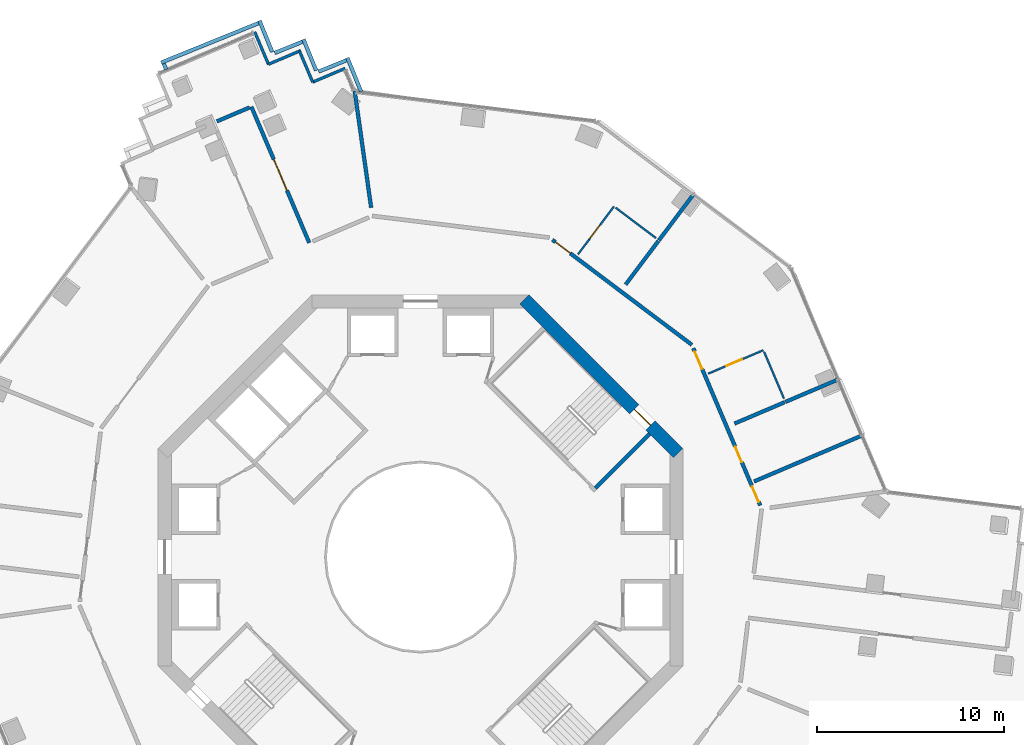
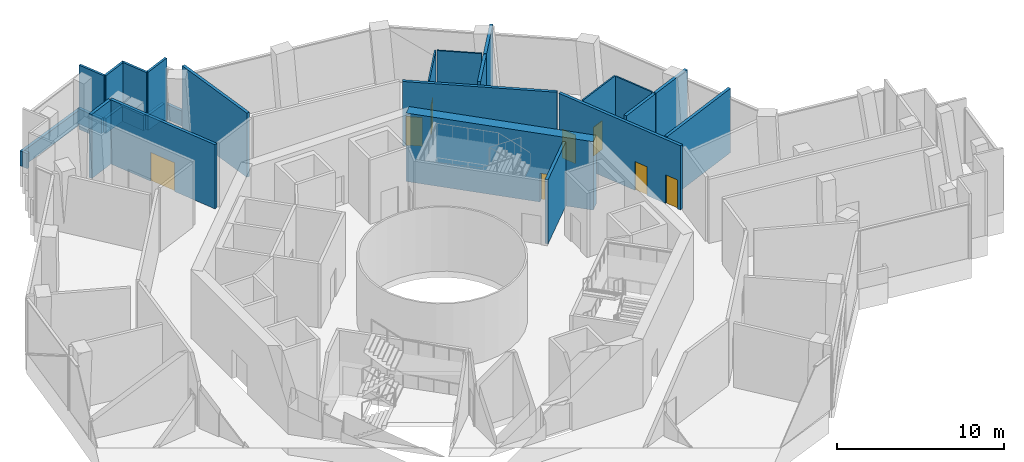
# One storey, part 11 of 17: 27 walls, 8 doors, 8 openings.
"""IFC4 building model written with IfcOpenShell, lengths in metres."""

from ifc_helpers import new_model, si_unit, direction, frame, frame_2d, origin, place, context, subcontext, project, spatial, rectangle, extrude, material, layer, layer_set, type_object, element, fill, save


model = new_model("IFC4")

# Units and contexts
model_context = context("Model", 3, precision=1e-05, world=origin(), true_north=direction((0.0, 1.0)))
body_context = subcontext(model_context, "Body", "Model", "MODEL_VIEW")
ifc_project = project(units=[si_unit("LENGTHUNIT", "METRE"), si_unit("AREAUNIT", "SQUARE_METRE"), si_unit("VOLUMEUNIT", "CUBIC_METRE"), si_unit("PLANEANGLEUNIT", "RADIAN"), si_unit("MASSUNIT", "GRAM", prefix="KILO")], contexts=[model_context])

# Site, building, storey
site_placement = place(None, origin())
site = spatial("IfcSite", under=ifc_project, at=site_placement, CompositionType="ELEMENT")
building_placement = place(site_placement, origin())
building = spatial("IfcBuilding", under=site, at=building_placement, Name="Verdalira Terraces Hotel", CompositionType="ELEMENT")
storey_placement = place(building_placement, frame((0.0, 0.0, 128.0)))
storey = spatial("IfcBuildingStorey", under=building, at=storey_placement, Name="L30", CompositionType="ELEMENT", Elevation=128.0)

# Wall, opening, door
ifc_material_1 = material(Name="Moisture-resistant gypsum board partition")
ifc_layer_1 = layer(ifc_material_1, 0.10009765625)
ifc_layer_set_1 = layer_set([ifc_layer_1], Name="Bathroom partition 100 mm")
wall_type_1 = type_object("IfcWallType", Name="Bathroom partition 100 mm", PredefinedType="PARTITIONING", material=ifc_layer_set_1)
wall_1_placement = place(storey_placement, frame((10.324463, 18.710449, 0.0), z_axis=(0.0, 0.0, 1.0), x_axis=(-0.601280986, -0.799037656, 0.0)))
wall_1 = element("IfcWall", 1, at=wall_1_placement, inside=storey, type_object=wall_type_1, Name="Bathroom partition", PredefinedType="PARTITIONING", context=body_context, shape_type="SweptSolid", body=[
    extrude(rectangle(XDim=3.199951, YDim=0.100098, at=frame_2d((1.600098, 0.0))), origin(), (0.0, 0.0, 1.0), 4.689941),
])
opening_1_placement = place(wall_1_placement, frame((1.25, 0.0, 0.0)))
opening_1 = element("IfcOpeningElement", 2, at=opening_1_placement, cuts=wall_1, Name="Opening L30-119", PredefinedType="OPENING", context=body_context, shape_type="SweptSolid", body=[
    extrude(rectangle(XDim=0.899902, YDim=2.100098, at=frame_2d((0.449951, 1.050049))), frame((0.0, 0.060059, 0.0), z_axis=(0.0, -1.0, 0.0), x_axis=(1.0, 0.0, 0.0)), (0.0, 0.0, 1.0), 0.120117),
])
ifc_material_2 = material(Name="Timber door", Category="wood")
door_type_1 = type_object("IfcDoorType", Name="Bathroom door 900 x 2100", OperationType="NOTDEFINED", PredefinedType="DOOR", material=ifc_material_2)
door_1_placement = place(opening_1_placement, origin())
door_1 = element("IfcDoor", 3, at=door_1_placement, inside=storey, type_object=door_type_1, Name="Bathroom door 3015", OperationType="SINGLE_SWING_LEFT", OverallHeight=2.10009765625, OverallWidth=0.89990234375, PredefinedType="DOOR", context=body_context, shape_type="SweptSolid", body=[
    extrude(rectangle(XDim=0.899902, YDim=2.100098, at=frame_2d((0.449951, 1.050049))), frame((0.0, 0.024902, 0.0), z_axis=(0.0, -1.0, 0.0), x_axis=(1.0, 0.0, 0.0)), (0.0, 0.0, 1.0), 0.050049),
])
fill(opening_1, door_1)

# Wall
wall_2_placement = place(storey_placement, frame((10.404297, 18.650391, 0.0), z_axis=(0.0, 0.0, 1.0), x_axis=(0.799033288, -0.60128679, 0.0)))
element("IfcWall", 4, at=wall_2_placement, inside=storey, type_object=wall_type_1, Name="Bathroom partition", PredefinedType="PARTITIONING", context=body_context, shape_type="SweptSolid", body=[
    extrude(rectangle(XDim=2.700195, YDim=0.100098, at=frame_2d((1.350098, 0.0))), origin(), (0.0, 0.0, 1.0), 4.689941),
])

# Wall, opening, door
wall_3_placement = place(storey_placement, frame((18.296387, 11.041504, 0.0), z_axis=(0.0, 0.0, 1.0), x_axis=(-0.92021896, -0.391403968, 0.0)))
wall_3 = element("IfcWall", 5, at=wall_3_placement, inside=storey, type_object=wall_type_1, Name="Bathroom partition", PredefinedType="PARTITIONING", context=body_context, shape_type="SweptSolid", body=[
    extrude(rectangle(XDim=3.199951, YDim=0.100098, at=frame_2d((1.600098, 0.0))), origin(), (0.0, 0.0, 1.0), 4.689941),
])
opening_2_placement = place(wall_3_placement, frame((1.25, 0.0, 0.0)))
opening_2 = element("IfcOpeningElement", 6, at=opening_2_placement, cuts=wall_3, Name="Opening L30-117", PredefinedType="OPENING", context=body_context, shape_type="SweptSolid", body=[
    extrude(rectangle(XDim=0.899902, YDim=2.100098, at=frame_2d((0.449951, 1.050049))), frame((0.0, 0.060059, 0.0), z_axis=(0.0, -1.0, 0.0), x_axis=(1.0, 0.0, 0.0)), (0.0, 0.0, 1.0), 0.120117),
])
door_2_placement = place(opening_2_placement, origin())
door_2 = element("IfcDoor", 7, at=door_2_placement, inside=storey, type_object=door_type_1, Name="Bathroom door 3014", OperationType="SINGLE_SWING_LEFT", OverallHeight=2.10009765625, OverallWidth=0.89990234375, PredefinedType="DOOR", context=body_context, shape_type="SweptSolid", body=[
    extrude(rectangle(XDim=0.899902, YDim=2.100098, at=frame_2d((0.449951, 1.050049))), frame((0.0, 0.024902, 0.0), z_axis=(0.0, -1.0, 0.0), x_axis=(1.0, 0.0, 0.0)), (0.0, 0.0, 1.0), 0.050049),
])
fill(opening_2, door_2)

# Walls
wall_4_placement = place(storey_placement, frame((18.335693, 10.949463, 0.0), z_axis=(0.0, 0.0, 1.0), x_axis=(0.391353166, -0.920240566, 0.0)))
element("IfcWall", 8, at=wall_4_placement, inside=storey, type_object=wall_type_1, Name="Bathroom partition", PredefinedType="PARTITIONING", context=body_context, shape_type="SweptSolid", body=[
    extrude(rectangle(XDim=2.699951, YDim=0.100098, at=frame_2d((1.350098, 0.0))), origin(), (0.0, 0.0, 1.0), 4.689941),
])
ifc_material_3 = material(Name="Concrete C50", Category="concrete")
ifc_layer_2 = layer(ifc_material_3, 0.199951171875)
ifc_layer_set_2 = layer_set([ifc_layer_2], Name="Core RC wall 200 C50")
wall_type_2 = type_object("IfcWallType", Name="Core RC wall 200 C50", PredefinedType="SOLIDWALL", material=ifc_layer_set_2)
wall_5_placement = place(storey_placement, frame((9.33374, 3.677002, 0.0), z_axis=(0.0, 0.0, 1.0), x_axis=(0.707106781, 0.707106781, 0.0)))
element("IfcWall", 9, at=wall_5_placement, inside=storey, type_object=wall_type_2, Name="L30 stair ST1 end wall 1", PredefinedType="SOLIDWALL", context=body_context, shape_type="SweptSolid", body=[
    extrude(rectangle(XDim=4.100098, YDim=0.199951, at=frame_2d((2.050049, 0.0))), origin(), (0.0, 0.0, 1.0), 4.689941),
])

# Wall, opening, door
ifc_material_4 = material(Name="Concrete C60", Category="concrete")
ifc_layer_3 = layer(ifc_material_4, 0.699951171875)
ifc_layer_set_3 = layer_set([ifc_layer_3], Name="Core wall 700 C60")
wall_type_3 = type_object("IfcWallType", Name="Core wall 700 C60", PredefinedType="SHEAR", material=ifc_layer_set_3)
wall_6_placement = place(storey_placement, frame((13.752441, 5.551514, 0.0), z_axis=(0.0, 0.0, 1.0), x_axis=(-0.707106781, 0.707106781, 0.0)))
wall_6 = element("IfcWall", 10, at=wall_6_placement, inside=storey, type_object=wall_type_3, Name="Core wall CW-L30-2", PredefinedType="SHEAR", context=body_context, shape_type="SweptSolid", body=[
    extrude(rectangle(XDim=11.5979, YDim=0.699951, at=frame_2d((5.798828, 0.0))), origin(), (0.0, 0.0, 1.0), 5.0),
])
opening_3_placement = place(wall_6_placement, frame((2.099121, 0.0, 0.0)))
opening_3 = element("IfcOpeningElement", 11, at=opening_3_placement, cuts=wall_6, Name="Opening L30-816", PredefinedType="OPENING", context=body_context, shape_type="SweptSolid", body=[
    extrude(rectangle(XDim=1.199951, YDim=2.100098, at=frame_2d((0.600098, 1.050049))), frame((0.0, 0.359863, 0.0), z_axis=(0.0, -1.0, 0.0), x_axis=(1.0, 0.0, 0.0)), (0.0, 0.0, 1.0), 0.719971),
])
ifc_material_5 = material(Name="Steel fire door", Category="steel")
door_type_2 = type_object("IfcDoorType", Name="Stair door 1200 x 2100", OperationType="NOTDEFINED", PredefinedType="DOOR", material=ifc_material_5)
door_3_placement = place(opening_3_placement, origin())
door_3 = element("IfcDoor", 12, at=door_3_placement, inside=storey, type_object=door_type_2, Name="Stair exit door ST1 L30", OperationType="SINGLE_SWING_LEFT", OverallHeight=2.10009765625, OverallWidth=1.199951171875, PredefinedType="DOOR", context=body_context, shape_type="SweptSolid", body=[
    extrude(rectangle(XDim=1.199951, YDim=2.100098, at=frame_2d((0.600098, 1.050049))), frame((0.0, 0.024902, 0.0), z_axis=(0.0, -1.0, 0.0), x_axis=(1.0, 0.0, 0.0)), (0.0, 0.0, 1.0), 0.050049),
])
fill(opening_3, door_3)

# Walls
ifc_material_6 = material(Name="Fire-rated gypsum board wall")
ifc_layer_4 = layer(ifc_material_6, 0.199951171875)
ifc_layer_set_4 = layer_set([ifc_layer_4], Name="Demising wall 200 mm")
wall_type_4 = type_object("IfcWallType", Name="Demising wall 200 mm", PredefinedType="SOLIDWALL", material=ifc_layer_set_4)
wall_7_placement = place(storey_placement, frame((-3.512695, 24.867188, 0.0), z_axis=(0.0, 0.0, 1.0), x_axis=(0.139908623, -0.990164419, 0.0)))
element("IfcWall", 13, at=wall_7_placement, inside=storey, type_object=wall_type_4, Name="Demising wall", PredefinedType="SOLIDWALL", context=body_context, shape_type="SweptSolid", body=[
    extrude(rectangle(XDim=6.281982, YDim=0.199951, at=frame_2d((3.141113, 0.0))), origin(), (0.0, 0.0, 1.0), 4.689941),
])
wall_8_placement = place(storey_placement, frame((10.946289, 14.547363, 0.0), z_axis=(0.0, 0.0, 1.0), x_axis=(0.601223093, 0.799081217, 0.0)))
element("IfcWall", 14, at=wall_8_placement, inside=storey, type_object=wall_type_4, Name="Demising wall", PredefinedType="SOLIDWALL", context=body_context, shape_type="SweptSolid", body=[
    extrude(rectangle(XDim=2.904541, YDim=0.199951, at=frame_2d((1.452148, 0.0))), origin(), (0.0, 0.0, 1.0), 4.689941),
])
wall_9_placement = place(storey_placement, frame((12.720459, 16.905029, 0.0), z_axis=(0.0, 0.0, 1.0), x_axis=(0.601220789, 0.799082951, 0.0)))
element("IfcWall", 15, at=wall_9_placement, inside=storey, type_object=wall_type_4, Name="Demising wall", PredefinedType="SOLIDWALL", context=body_context, shape_type="SweptSolid", body=[
    extrude(rectangle(XDim=3.102051, YDim=0.199951, at=frame_2d((1.551025, 0.0))), origin(), (0.0, 0.0, 1.0), 4.689941),
])
ifc_material_7 = material(Name="Fire-rated gypsum board wall")
ifc_layer_5 = layer(ifc_material_7, 0.199951171875)
ifc_layer_set_5 = layer_set([ifc_layer_5], Name="Guest corridor wall 200 mm")
wall_type_5 = type_object("IfcWallType", Name="Guest corridor wall 200 mm", PredefinedType="SOLIDWALL", material=ifc_layer_set_5)
wall_10_placement = place(storey_placement, frame((-9.120361, 23.994385, 0.0), z_axis=(0.0, 0.0, 1.0), x_axis=(-0.920277716, -0.391265798, 0.0)))
element("IfcWall", 16, at=wall_10_placement, inside=storey, type_object=wall_type_5, Name="Guest corridor wall", PredefinedType="SOLIDWALL", context=body_context, shape_type="SweptSolid", body=[
    extrude(rectangle(XDim=1.899902, YDim=0.199951, at=frame_2d((0.949951, 0.0))), origin(), (0.0, 0.0, 1.0), 4.689941),
])

# Wall, opening, door
wall_11_placement = place(storey_placement, frame((-9.025635, 24.032715, 0.0), z_axis=(0.0, 0.0, 1.0), x_axis=(0.391348343, -0.920242617, 0.0)))
wall_11 = element("IfcWall", 17, at=wall_11_placement, inside=storey, type_object=wall_type_5, Name="Guest corridor wall", PredefinedType="SOLIDWALL", context=body_context, shape_type="SweptSolid", body=[
    extrude(rectangle(XDim=7.889648, YDim=0.199951, at=frame_2d((3.944824, 0.0))), origin(), (0.0, 0.0, 1.0), 4.689941),
])
opening_4_placement = place(wall_11_placement, frame((3.050049, 0.0, 0.0)))
opening_4 = element("IfcOpeningElement", 18, at=opening_4_placement, cuts=wall_11, Name="Opening L30-101", PredefinedType="OPENING", context=body_context, shape_type="SweptSolid", body=[
    extrude(rectangle(XDim=1.800049, YDim=2.100098, at=frame_2d((0.899902, 1.050049))), frame((0.0, 0.109863, 0.0), z_axis=(0.0, -1.0, 0.0), x_axis=(1.0, 0.0, 0.0)), (0.0, 0.0, 1.0), 0.219971),
])
ifc_material_8 = material(Name="Timber fire door", Category="wood")
door_type_3 = type_object("IfcDoorType", Name="Public room double door 1800 x 2100", OperationType="NOTDEFINED", PredefinedType="DOOR", material=ifc_material_8)
door_4_placement = place(opening_4_placement, origin())
door_4 = element("IfcDoor", 19, at=door_4_placement, inside=storey, type_object=door_type_3, Name="Public room double door 3001", OperationType="DOUBLE_DOOR_SINGLE_SWING", OverallHeight=2.10009765625, OverallWidth=1.800048828125, PredefinedType="DOOR", context=body_context, shape_type="SweptSolid", body=[
    extrude(rectangle(XDim=1.800049, YDim=2.100098, at=frame_2d((0.899902, 1.050049))), frame((0.0, 0.024902, 0.0), z_axis=(0.0, -1.0, 0.0), x_axis=(1.0, 0.0, 0.0)), (0.0, 0.0, 1.0), 0.050049),
])
fill(opening_4, door_4)

wall_12_placement = place(storey_placement, frame((7.0354, 16.93042, 0.0), z_axis=(0.0, 0.0, 1.0), x_axis=(0.799039784, -0.601278158, 0.0)))
wall_12 = element("IfcWall", 20, at=wall_12_placement, inside=storey, type_object=wall_type_5, Name="Guest corridor wall", PredefinedType="SOLIDWALL", context=body_context, shape_type="SweptSolid", body=[
    extrude(rectangle(XDim=9.315674, YDim=0.199951, at=frame_2d((4.657715, 0.0))), origin(), (0.0, 0.0, 1.0), 4.689941),
])
opening_5_placement = place(wall_12_placement, frame((0.199951, 0.0, 0.0)))
opening_5 = element("IfcOpeningElement", 21, at=opening_5_placement, cuts=wall_12, Name="Opening L30-118", PredefinedType="OPENING", context=body_context, shape_type="SweptSolid", body=[
    extrude(rectangle(XDim=1.0, YDim=2.100098, at=frame_2d((0.5, 1.050049))), frame((0.0, 0.109863, 0.0), z_axis=(0.0, -1.0, 0.0), x_axis=(1.0, 0.0, 0.0)), (0.0, 0.0, 1.0), 0.219971),
])
ifc_material_9 = material(Name="Timber fire door", Category="wood")
door_type_4 = type_object("IfcDoorType", Name="Guest entry door 1000 x 2100", OperationType="NOTDEFINED", PredefinedType="DOOR", material=ifc_material_9)
door_5_placement = place(opening_5_placement, origin())
door_5 = element("IfcDoor", 22, at=door_5_placement, inside=storey, type_object=door_type_4, Name="Guest entry door 3015", OperationType="SINGLE_SWING_LEFT", OverallHeight=2.10009765625, OverallWidth=1.0, PredefinedType="DOOR", context=body_context, shape_type="SweptSolid", body=[
    extrude(rectangle(XDim=1.0, YDim=2.100098, at=frame_2d((0.5, 1.050049))), frame((0.0, 0.024902, 0.0), z_axis=(0.0, -1.0, 0.0), x_axis=(1.0, 0.0, 0.0)), (0.0, 0.0, 1.0), 0.050049),
])
fill(opening_5, door_5)

# Wall, openings, doors
wall_13_placement = place(storey_placement, frame((14.558105, 11.144287, 0.0), z_axis=(0.0, 0.0, 1.0), x_axis=(0.39135783, -0.920238582, 0.0)))
wall_13 = element("IfcWall", 23, at=wall_13_placement, inside=storey, type_object=wall_type_5, Name="Guest corridor wall", PredefinedType="SOLIDWALL", context=body_context, shape_type="SweptSolid", body=[
    extrude(rectangle(XDim=9.115967, YDim=0.199951, at=frame_2d((4.558105, 0.0))), origin(), (0.0, 0.0, 1.0), 4.689941),
])
opening_6_placement = place(wall_13_placement, frame((0.199951, 0.0, 0.0)))
opening_6 = element("IfcOpeningElement", 24, at=opening_6_placement, cuts=wall_13, Name="Opening L30-116", PredefinedType="OPENING", context=body_context, shape_type="SweptSolid", body=[
    extrude(rectangle(XDim=1.0, YDim=2.100098, at=frame_2d((0.5, 1.050049))), frame((0.0, 0.109863, 0.0), z_axis=(0.0, -1.0, 0.0), x_axis=(1.0, 0.0, 0.0)), (0.0, 0.0, 1.0), 0.219971),
])
opening_7_placement = place(wall_13_placement, frame((8.007812, 0.0, 0.0)))
opening_7 = element("IfcOpeningElement", 25, at=opening_7_placement, cuts=wall_13, Name="Opening L30-122", PredefinedType="OPENING", context=body_context, shape_type="SweptSolid", body=[
    extrude(rectangle(XDim=0.899902, YDim=2.100098, at=frame_2d((0.449951, 1.050049))), frame((0.0, 0.109863, 0.0), z_axis=(0.0, -1.0, 0.0), x_axis=(1.0, 0.0, 0.0)), (0.0, 0.0, 1.0), 0.219971),
])
opening_8_placement = place(wall_13_placement, frame((5.707764, 0.0, 0.0)))
opening_8 = element("IfcOpeningElement", 26, at=opening_8_placement, cuts=wall_13, Name="Opening L30-123", PredefinedType="OPENING", context=body_context, shape_type="SweptSolid", body=[
    extrude(rectangle(XDim=0.899902, YDim=2.100098, at=frame_2d((0.449951, 1.050049))), frame((0.0, 0.109863, 0.0), z_axis=(0.0, -1.0, 0.0), x_axis=(1.0, 0.0, 0.0)), (0.0, 0.0, 1.0), 0.219971),
])
door_6_placement = place(opening_6_placement, origin())
door_6 = element("IfcDoor", 27, at=door_6_placement, inside=storey, type_object=door_type_4, Name="Guest entry door 3014", OperationType="SINGLE_SWING_LEFT", OverallHeight=2.10009765625, OverallWidth=1.0, PredefinedType="DOOR", context=body_context, shape_type="SweptSolid", body=[
    extrude(rectangle(XDim=1.0, YDim=2.100098, at=frame_2d((0.5, 1.050049))), frame((0.0, 0.024902, 0.0), z_axis=(0.0, -1.0, 0.0), x_axis=(1.0, 0.0, 0.0)), (0.0, 0.0, 1.0), 0.050049),
])
fill(opening_6, door_6)
ifc_material_10 = material(Name="Timber fire door", Category="wood")
door_type_5 = type_object("IfcDoorType", Name="Toilet door 900 x 2100", OperationType="NOTDEFINED", PredefinedType="DOOR", material=ifc_material_10)
door_7_placement = place(opening_7_placement, origin())
door_7 = element("IfcDoor", 28, at=door_7_placement, inside=storey, type_object=door_type_5, Name="Toilet door 3018", OperationType="SINGLE_SWING_LEFT", OverallHeight=2.10009765625, OverallWidth=0.89990234375, PredefinedType="DOOR", context=body_context, shape_type="SweptSolid", body=[
    extrude(rectangle(XDim=0.899902, YDim=2.100098, at=frame_2d((0.449951, 1.050049))), frame((0.0, 0.024902, 0.0), z_axis=(0.0, -1.0, 0.0), x_axis=(1.0, 0.0, 0.0)), (0.0, 0.0, 1.0), 0.050049),
])
fill(opening_7, door_7)
door_8_placement = place(opening_8_placement, origin())
door_8 = element("IfcDoor", 29, at=door_8_placement, inside=storey, type_object=door_type_5, Name="Toilet door 3019", OperationType="SINGLE_SWING_LEFT", OverallHeight=2.10009765625, OverallWidth=0.89990234375, PredefinedType="DOOR", context=body_context, shape_type="SweptSolid", body=[
    extrude(rectangle(XDim=0.899902, YDim=2.100098, at=frame_2d((0.449951, 1.050049))), frame((0.0, 0.024902, 0.0), z_axis=(0.0, -1.0, 0.0), x_axis=(1.0, 0.0, 0.0)), (0.0, 0.0, 1.0), 0.050049),
])
fill(opening_8, door_8)

# Walls
ifc_material_11 = material(Name="Fire-rated gypsum board wall")
ifc_layer_6 = layer(ifc_material_11, 0.199951171875)
ifc_layer_set_6 = layer_set([ifc_layer_6], Name="Service room wall 200 mm")
wall_type_6 = type_object("IfcWallType", Name="Service room wall 200 mm", PredefinedType="SOLIDWALL", material=ifc_layer_set_6)
wall_14_placement = place(storey_placement, frame((16.753418, 7.125244, 0.0), z_axis=(0.0, 0.0, 1.0), x_axis=(0.920249965, 0.391331065, 0.0)))
element("IfcWall", 30, at=wall_14_placement, inside=storey, type_object=wall_type_6, Name="Service room wall", PredefinedType="SOLIDWALL", context=body_context, shape_type="SweptSolid", body=[
    extrude(rectangle(XDim=2.904785, YDim=0.199951, at=frame_2d((1.452393, 0.0))), origin(), (0.0, 0.0, 1.0), 4.689941),
])
wall_15_placement = place(storey_placement, frame((17.797852, 4.037598, 0.0), z_axis=(0.0, 0.0, 1.0), x_axis=(0.920219978, 0.391401574, 0.0)))
element("IfcWall", 31, at=wall_15_placement, inside=storey, type_object=wall_type_6, Name="Service room wall", PredefinedType="SOLIDWALL", context=body_context, shape_type="SweptSolid", body=[
    extrude(rectangle(XDim=6.300049, YDim=0.199951, at=frame_2d((3.149902, 0.0))), origin(), (0.0, 0.0, 1.0), 4.689941),
])
wall_16_placement = place(storey_placement, frame((19.46875, 8.280029, 0.0), z_axis=(0.0, 0.0, 1.0), x_axis=(0.920220386, 0.391400614, 0.0)))
element("IfcWall", 32, at=wall_16_placement, inside=storey, type_object=wall_type_6, Name="Service room wall", PredefinedType="SOLIDWALL", context=body_context, shape_type="SweptSolid", body=[
    extrude(rectangle(XDim=3.102051, YDim=0.199951, at=frame_2d((1.551025, 0.0))), origin(), (0.0, 0.0, 1.0), 4.689941),
])
ifc_material_12 = material(Name="Terracotta cladding", Category="masonry")
ifc_layer_7 = layer(ifc_material_12, 0.199951171875)
ifc_layer_set_7 = layer_set([ifc_layer_7], Name="Terracotta clad parapet 200")
wall_type_7 = type_object("IfcWallType", Name="Terracotta clad parapet 200", PredefinedType="PARAPET", material=ifc_layer_set_7)
wall_17_placement = place(storey_placement, frame((-3.169434, 24.839111, 0.0), z_axis=(0.0, 0.0, 1.0), x_axis=(-0.375976177, 0.926629329, 0.0)))
element("IfcWall", 33, at=wall_17_placement, inside=storey, type_object=wall_type_7, Name="Terracotta clad parapet", PredefinedType="PARAPET", context=body_context, shape_type="SweptSolid", body=[
    extrude(rectangle(XDim=1.944092, YDim=0.199951, at=frame_2d((0.972168, 0.0))), origin(), (0.0, 0.0, 1.0), 1.100098),
])
wall_18_placement = place(storey_placement, frame((-3.955322, 26.510498, 0.0), z_axis=(0.0, 0.0, 1.0), x_axis=(-0.926634415, -0.375963642, 0.0)))
element("IfcWall", 34, at=wall_18_placement, inside=storey, type_object=wall_type_7, Name="Terracotta clad parapet", PredefinedType="PARAPET", context=body_context, shape_type="SweptSolid", body=[
    extrude(rectangle(XDim=1.600098, YDim=0.199951, at=frame_2d((0.800049, 0.0))), origin(), (0.0, 0.0, 1.0), 1.100098),
])
wall_19_placement = place(storey_placement, frame((-5.568359, 25.964111, 0.0), z_axis=(0.0, 0.0, 1.0), x_axis=(-0.37585308, 0.926679266, 0.0)))
element("IfcWall", 35, at=wall_19_placement, inside=storey, type_object=wall_type_7, Name="Terracotta clad parapet", PredefinedType="PARAPET", context=body_context, shape_type="SweptSolid", body=[
    extrude(rectangle(XDim=1.800049, YDim=0.199951, at=frame_2d((0.899902, 0.0))), origin(), (0.0, 0.0, 1.0), 1.100098),
])
wall_20_placement = place(storey_placement, frame((-6.300049, 27.501709, 0.0), z_axis=(0.0, 0.0, 1.0), x_axis=(-0.926687566, -0.375832616, 0.0)))
element("IfcWall", 36, at=wall_20_placement, inside=storey, type_object=wall_type_7, Name="Terracotta clad parapet", PredefinedType="PARAPET", context=body_context, shape_type="SweptSolid", body=[
    extrude(rectangle(XDim=1.599854, YDim=0.199951, at=frame_2d((0.799805, 0.0))), origin(), (0.0, 0.0, 1.0), 1.100098),
])
wall_21_placement = place(storey_placement, frame((-7.912842, 26.955322, 0.0), z_axis=(0.0, 0.0, 1.0), x_axis=(-0.375922302, 0.926651187, 0.0)))
element("IfcWall", 37, at=wall_21_placement, inside=storey, type_object=wall_type_7, Name="Terracotta clad parapet", PredefinedType="PARAPET", context=body_context, shape_type="SweptSolid", body=[
    extrude(rectangle(XDim=1.800293, YDim=0.199951, at=frame_2d((0.900146, 0.0))), origin(), (0.0, 0.0, 1.0), 1.100098),
])
wall_22_placement = place(storey_placement, frame((-8.644531, 28.493164, 0.0), z_axis=(0.0, 0.0, 1.0), x_axis=(-0.926667869, -0.37588118, 0.0)))
element("IfcWall", 38, at=wall_22_placement, inside=storey, type_object=wall_type_7, Name="Terracotta clad parapet", PredefinedType="PARAPET", context=body_context, shape_type="SweptSolid", body=[
    extrude(rectangle(XDim=5.600098, YDim=0.199951, at=frame_2d((2.800049, 0.0))), origin(), (0.0, 0.0, 1.0), 1.100098),
])
wall_23_placement = place(storey_placement, frame((-13.703613, 26.333008, 0.0), z_axis=(0.0, 0.0, 1.0), x_axis=(0.375902286, -0.926659307, 0.0)))
element("IfcWall", 39, at=wall_23_placement, inside=storey, type_object=wall_type_7, Name="Terracotta clad parapet", PredefinedType="PARAPET", context=body_context, shape_type="SweptSolid", body=[
    extrude(rectangle(XDim=0.344971, YDim=0.199951, at=frame_2d((0.172363, 0.0))), origin(), (0.0, 0.0, 1.0), 1.100098),
])
ifc_material_13 = material(Name="Terracotta cladding", Category="masonry")
ifc_layer_8 = layer(ifc_material_13, 0.14990234375)
ifc_layer_set_8 = layer_set([ifc_layer_8], Name="Terracotta clad wall 150")
wall_type_8 = type_object("IfcWallType", Name="Terracotta clad wall 150", PredefinedType="SOLIDWALL", material=ifc_layer_set_8)
wall_24_placement = place(storey_placement, frame((-4.027832, 26.078857, 0.0), z_axis=(0.0, 0.0, 1.0), x_axis=(-0.920232466, -0.391372212, 0.0)))
element("IfcWall", 40, at=wall_24_placement, inside=storey, type_object=wall_type_8, Name="Terracotta cladding wall", PredefinedType="SOLIDWALL", context=body_context, shape_type="SweptSolid", body=[
    extrude(rectangle(XDim=1.875244, YDim=0.149902, at=frame_2d((0.9375, 0.0))), origin(), (0.0, 0.0, 1.0), 4.689941),
])
wall_25_placement = place(storey_placement, frame((-5.753418, 25.344971, 0.0), z_axis=(0.0, 0.0, 1.0), x_axis=(-0.391298597, 0.920263771, 0.0)))
element("IfcWall", 41, at=wall_25_placement, inside=storey, type_object=wall_type_8, Name="Terracotta cladding wall", PredefinedType="SOLIDWALL", context=body_context, shape_type="SweptSolid", body=[
    extrude(rectangle(XDim=1.800049, YDim=0.149902, at=frame_2d((0.899902, 0.0))), origin(), (0.0, 0.0, 1.0), 4.689941),
])
for number, where, z_axis, x_axis, name in (
    (42, (-6.388672, 27.030762, 0.0), (0.0, 0.0, 1.0), (-0.920232466, -0.391372212, 0.0), "Terracotta cladding wall"),
    (43, (-8.114258, 26.296875, 0.0), (0.0, 0.0, 1.0), (-0.391372212, 0.920232466, 0.0), "Terracotta cladding wall"),
):
    element("IfcWall", number, at=place(storey_placement, frame(where, z_axis=z_axis, x_axis=x_axis)), inside=storey, type_object=wall_type_8, Name=name, PredefinedType="SOLIDWALL", context=body_context, shape_type="SweptSolid", body=[
        extrude(rectangle(XDim=1.875244, YDim=0.149902, at=frame_2d((0.9375, 0.0))), origin(), (0.0, 0.0, 1.0), 4.689941),
    ])

save(model, "model.ifc")
